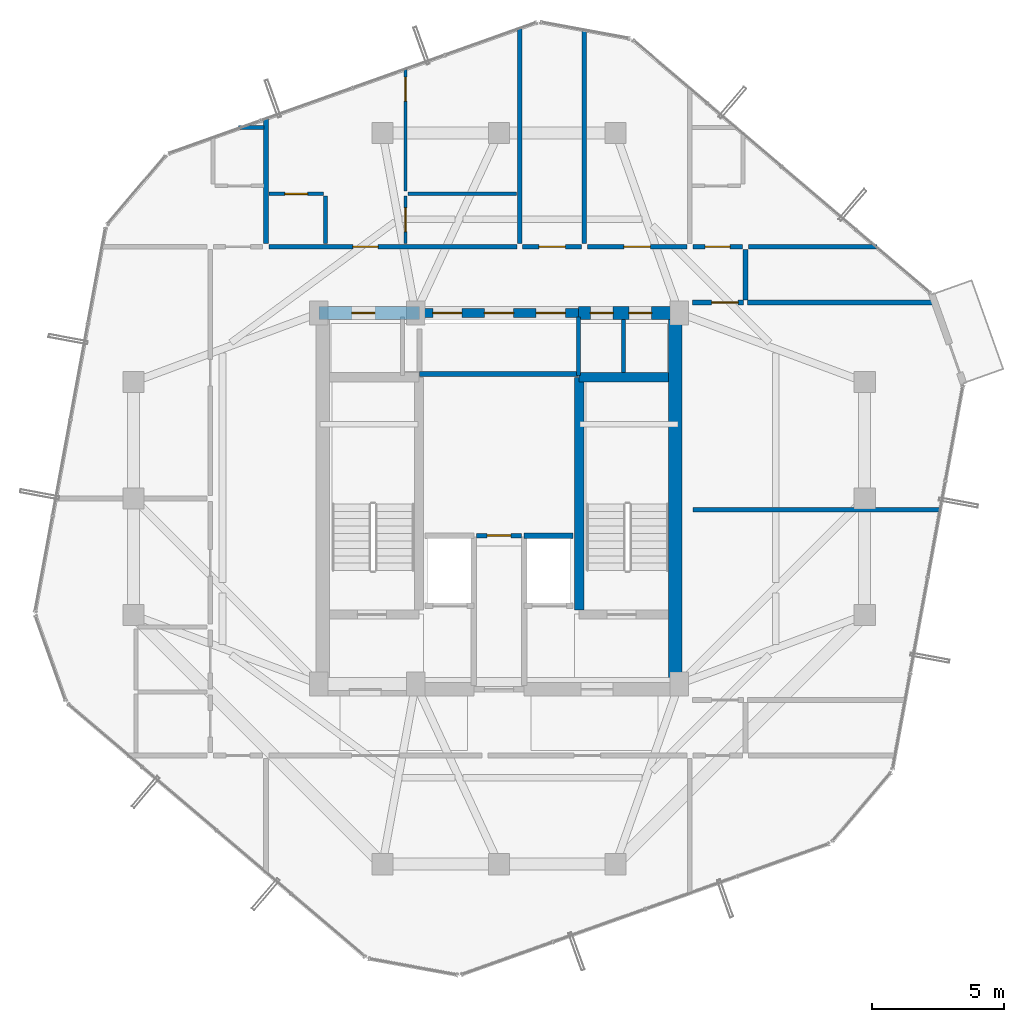
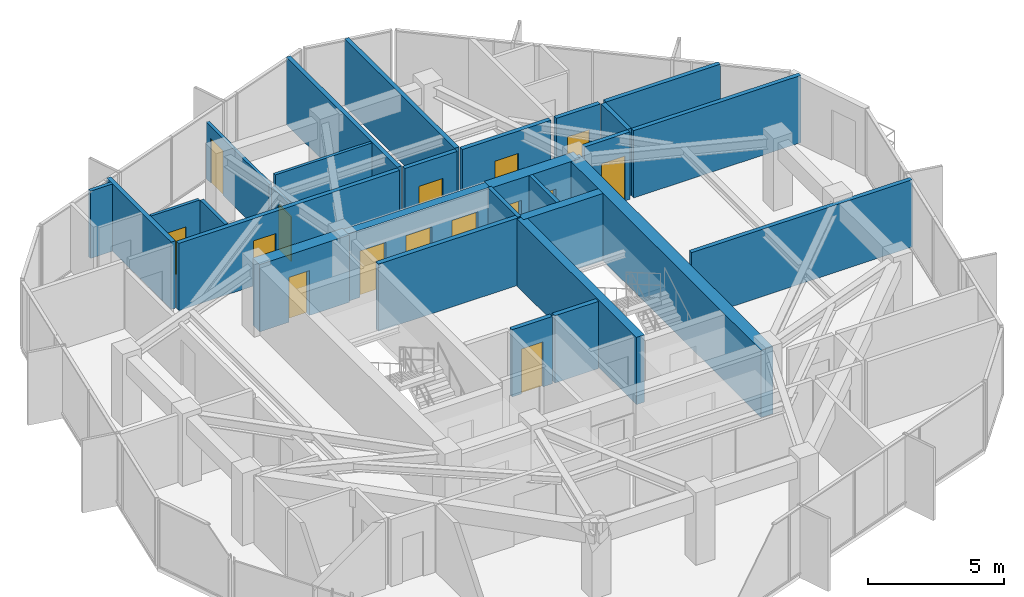
# One storey, part 26 of 29: 29 walls, 15 doors, 15 openings.
"""IFC4 building model written with IfcOpenShell, lengths in metres."""

from ifc_helpers import new_model, si_unit, direction, frame, frame_2d, origin, place, context, subcontext, project, spatial, rectangle, extrude, source, transform, mapped, material, layer, layer_set, type_object, element, fill, save


model = new_model("IFC4")

# Units and contexts
model_context = context("Model", 3, precision=1e-05, world=origin(), true_north=direction((0.0, 1.0)))
body_context = subcontext(model_context, "Body", "Model", "MODEL_VIEW")
ifc_project = project(units=[si_unit("LENGTHUNIT", "METRE"), si_unit("AREAUNIT", "SQUARE_METRE"), si_unit("VOLUMEUNIT", "CUBIC_METRE"), si_unit("PLANEANGLEUNIT", "RADIAN"), si_unit("MASSUNIT", "GRAM", prefix="KILO")], contexts=[model_context])

# Site, building, storey
site_placement = place(None, origin())
site = spatial("IfcSite", under=ifc_project, at=site_placement, CompositionType="ELEMENT")
building_placement = place(site_placement, origin())
building = spatial("IfcBuilding", under=site, at=building_placement, Name="Veraguas Prism Commons", CompositionType="ELEMENT")
storey_placement = place(building_placement, frame((0.0, 0.0, 244.75)))
storey = spatial("IfcBuildingStorey", under=building, at=storey_placement, Name="L69", CompositionType="ELEMENT", Elevation=244.75)

# Wall, openings, doors
ifc_material_1 = material(Name="Concrete C50/60", Category="concrete")
ifc_layer_1 = layer(ifc_material_1, 0.35009765625, Name="Core Internal Shear Wall Upper RC 350", Category="concrete")
ifc_layer_set_1 = layer_set([ifc_layer_1], Name="Concrete C50/60")
wall_type_1 = type_object("IfcWallType", Name="Core Internal Shear Wall Upper RC 350", PredefinedType="SHEAR", material=ifc_layer_set_1)
wall_1_placement = place(storey_placement, frame((21.0, 31.0, 0.0), z_axis=(0.0, 0.0, 1.0), x_axis=(1.0, 0.0, 0.0)))
wall_1 = element("IfcWall", 1, at=wall_1_placement, inside=storey, type_object=wall_type_1, Name="High-Rise Lift Bank Front Shear Wall L69", PredefinedType="SHEAR", context=body_context, shape_type="SweptSolid", body=[
    extrude(rectangle(XDim=6.0, YDim=0.35009765625, at=frame_2d((3.0, 0.0))), origin(), (0.0, 0.0, 1.0), 3.014892578125),
])
opening_1_placement = place(wall_1_placement, frame((0.5, 0.0, 0.0)))
opening_1 = element("IfcOpeningElement", 2, at=opening_1_placement, cuts=wall_1, Name="Opening LD-01", PredefinedType="OPENING", context=body_context, shape_type="SweptSolid", body=[
    extrude(rectangle(XDim=1.10009765625, YDim=2.080078125, at=frame_2d((0.550048828125, 1.0400390625))), frame((0.0, 0.18505859375, 0.0), z_axis=(0.0, -1.0, 0.0), x_axis=(1.0, 0.0, 0.0)), (0.0, 0.0, 1.0), 0.3701171875),
])
opening_2_placement = place(wall_1_placement, frame((2.449951171875, 0.0, 0.0)))
opening_2 = element("IfcOpeningElement", 3, at=opening_2_placement, cuts=wall_1, Name="Opening LD-01", PredefinedType="OPENING", context=body_context, shape_type="SweptSolid", body=[
    extrude(rectangle(XDim=1.10009765625, YDim=2.080078125, at=frame_2d((0.550048828125, 1.0400390625))), frame((0.0, 0.18505859375, 0.0), z_axis=(0.0, -1.0, 0.0), x_axis=(1.0, 0.0, 0.0)), (0.0, 0.0, 1.0), 0.3701171875),
])
opening_3_placement = place(wall_1_placement, frame((4.39990234375, 0.0, 0.0)))
opening_3 = element("IfcOpeningElement", 4, at=opening_3_placement, cuts=wall_1, Name="Opening LD-01", PredefinedType="OPENING", context=body_context, shape_type="SweptSolid", body=[
    extrude(rectangle(XDim=1.10009765625, YDim=2.080078125, at=frame_2d((0.550048828125, 1.0400390625))), frame((0.0, 0.18505859375, 0.0), z_axis=(0.0, -1.0, 0.0), x_axis=(1.0, 0.0, 0.0)), (0.0, 0.0, 1.0), 0.3701171875),
])
ifc_material_2 = material(Name="Stainless steel AISI 316", Category="steel")
door_type_1 = type_object("IfcDoorType", Name="Passenger Lift Sliding Landing Door 1100x2080", OperationType="NOTDEFINED", PredefinedType="DOOR", material=ifc_material_2)
shared_shape_1 = source(origin(), body_context, "Body", "SweptSolid", [
    extrude(rectangle(XDim=1.10009765625, YDim=2.080078125, at=frame_2d((0.550048828125, 1.0400390625))), frame((0.0, 0.02490234375, 0.0), z_axis=(0.0, -1.0, 0.0), x_axis=(1.0, 0.0, 0.0)), (0.0, 0.0, 1.0), 0.050048828125),
])
door_1_placement = place(opening_1_placement, origin())
door_1 = element("IfcDoor", 5, at=door_1_placement, inside=storey, type_object=door_type_1, Name="Sliding Landing Door PL-H1 L69", OperationType="SLIDING_TO_LEFT", OverallHeight=2.080078125, OverallWidth=1.10009765625, PredefinedType="DOOR", context=body_context, shape_type="MappedRepresentation", body=[
    mapped(shared_shape_1, transform((0.0, 0.0, 0.0), scale=1.0)),
])
fill(opening_1, door_1)
door_2_placement = place(opening_2_placement, origin())
door_2 = element("IfcDoor", 6, at=door_2_placement, inside=storey, type_object=door_type_1, Name="Sliding Landing Door PL-H2 L69", OperationType="SLIDING_TO_LEFT", OverallHeight=2.080078125, OverallWidth=1.10009765625, PredefinedType="DOOR", context=body_context, shape_type="MappedRepresentation", body=[
    mapped(shared_shape_1, transform((0.0, 0.0, 0.0), scale=1.0)),
])
fill(opening_2, door_2)
door_3_placement = place(opening_3_placement, origin())
door_3 = element("IfcDoor", 7, at=door_3_placement, inside=storey, type_object=door_type_1, Name="Sliding Landing Door PL-H3 L69", OperationType="SLIDING_TO_LEFT", OverallHeight=2.080078125, OverallWidth=1.10009765625, PredefinedType="DOOR", context=body_context, shape_type="MappedRepresentation", body=[
    mapped(shared_shape_1, transform((0.0, 0.0, 0.0), scale=1.0)),
])
fill(opening_3, door_3)

# Walls
wall_2_placement = place(storey_placement, frame((27.02490234375, 19.800048828125, 0.0), z_axis=(0.0, 0.0, 1.0), x_axis=(0.0, 1.0, 0.0)))
element("IfcWall", 8, at=wall_2_placement, inside=storey, type_object=wall_type_1, Name="Stair ST-02 Inner Shear Wall L69", PredefinedType="SHEAR", context=body_context, shape_type="SweptSolid", body=[
    extrude(rectangle(XDim=8.77490234375, YDim=0.35009765625, at=frame_2d((4.387451171875, 0.0))), origin(), (0.0, 0.0, 1.0), 3.014892578125),
])
wall_3_placement = place(storey_placement, frame((27.02490234375, 28.574951171875, 0.0), z_axis=(0.0, 0.0, 1.0), x_axis=(1.0, 0.0, 0.0)))
element("IfcWall", 9, at=wall_3_placement, inside=storey, type_object=wall_type_1, Name="Stair ST-02 North Shear Wall L69", PredefinedType="SHEAR", context=body_context, shape_type="SweptSolid", body=[
    extrude(rectangle(XDim=3.375, YDim=0.35009765625, at=frame_2d((1.6875, 0.0))), origin(), (0.0, 0.0, 1.0), 3.014892578125),
])
ifc_layer_2 = layer(ifc_material_1, 0.5, Name="Core Outer Shear Wall Upper RC 500", Category="concrete")
ifc_layer_set_2 = layer_set([ifc_layer_2], Name="Concrete C50/60")
wall_type_2 = type_object("IfcWallType", Name="Core Outer Shear Wall Upper RC 500", PredefinedType="SHEAR", material=ifc_layer_set_2)
wall_4_placement = place(storey_placement, frame((30.64990234375, 16.800048828125, 0.0), z_axis=(0.0, 0.0, 1.0), x_axis=(0.0, 1.0, 0.0)))
element("IfcWall", 10, at=wall_4_placement, inside=storey, type_object=wall_type_2, Name="Central Core East Shear Wall L69", PredefinedType="SHEAR", context=body_context, shape_type="SweptSolid", body=[
    extrude(rectangle(XDim=14.199951171875, YDim=0.5, at=frame_2d((7.10009765625, 0.0))), origin(), (0.0, 0.0, 1.0), 3.014892578125),
])

# Wall, opening, door
wall_5_placement = place(storey_placement, frame((17.199951171875, 31.0, 0.0), z_axis=(0.0, 0.0, 1.0), x_axis=(1.0, 0.0, 0.0)))
wall_5 = element("IfcWall", 11, at=wall_5_placement, inside=storey, type_object=wall_type_2, Name="Central Core North-West Shear Wall L69", PredefinedType="SHEAR", context=body_context, shape_type="SweptSolid", body=[
    extrude(rectangle(XDim=3.800048828125, YDim=0.5, at=frame_2d((1.89990234375, 0.0))), origin(), (0.0, 0.0, 1.0), 3.014892578125),
])
opening_4_placement = place(wall_5_placement, frame((1.25, 0.0, 0.0)))
opening_4 = element("IfcOpeningElement", 12, at=opening_4_placement, cuts=wall_5, Name="Opening DR-12", PredefinedType="OPENING", context=body_context, shape_type="SweptSolid", body=[
    extrude(rectangle(XDim=0.860107421875, YDim=2.010009765625, at=frame_2d((0.43017578125, 1.0048828125))), frame((0.0, 0.260009765625, 0.0), z_axis=(0.0, -1.0, 0.0), x_axis=(1.0, 0.0, 0.0)), (0.0, 0.0, 1.0), 0.52001953125),
])
ifc_material_3 = material(Name="Steel fire-rated door assembly", Category="steel")
door_type_2 = type_object("IfcDoorType", Name="Core WC Fire Door 860x2010", OperationType="NOTDEFINED", PredefinedType="DOOR", material=ifc_material_3)
shared_shape_2 = source(origin(), body_context, "Body", "SweptSolid", [
    extrude(rectangle(XDim=0.860107421875, YDim=2.010009765625, at=frame_2d((0.43017578125, 1.0048828125))), frame((0.0, 0.02490234375, 0.0), z_axis=(0.0, -1.0, 0.0), x_axis=(1.0, 0.0, 0.0)), (0.0, 0.0, 1.0), 0.050048828125),
])
door_4_placement = place(opening_4_placement, origin())
door_4 = element("IfcDoor", 13, at=door_4_placement, inside=storey, type_object=door_type_2, Name="Core NW Service Door L69", OperationType="SINGLE_SWING_LEFT", OverallHeight=2.010009765625, OverallWidth=0.860107421875, PredefinedType="DOOR", context=body_context, shape_type="MappedRepresentation", body=[
    mapped(shared_shape_2, transform((0.0, 0.0, 0.0), scale=1.0)),
])
fill(opening_4, door_4)

# Wall, openings, doors
wall_6_placement = place(storey_placement, frame((27.0, 31.0, 0.0), z_axis=(0.0, 0.0, 1.0), x_axis=(1.0, 0.0, 0.0)))
wall_6 = element("IfcWall", 14, at=wall_6_placement, inside=storey, type_object=wall_type_2, Name="Central Core North-East Shear Wall L69", PredefinedType="SHEAR", context=body_context, shape_type="SweptSolid", body=[
    extrude(rectangle(XDim=3.800048828125, YDim=0.5, at=frame_2d((1.89990234375, 0.0))), origin(), (0.0, 0.0, 1.0), 3.014892578125),
])
opening_5_placement = place(wall_6_placement, frame((0.449951171875, 0.0, 0.0)))
opening_5 = element("IfcOpeningElement", 15, at=opening_5_placement, cuts=wall_6, Name="Opening DR-12", PredefinedType="OPENING", context=body_context, shape_type="SweptSolid", body=[
    extrude(rectangle(XDim=0.860107421875, YDim=2.010009765625, at=frame_2d((0.43017578125, 1.0048828125))), frame((0.0, 0.260009765625, 0.0), z_axis=(0.0, -1.0, 0.0), x_axis=(1.0, 0.0, 0.0)), (0.0, 0.0, 1.0), 0.52001953125),
])
opening_6_placement = place(wall_6_placement, frame((1.89990234375, 0.0, 0.0)))
opening_6 = element("IfcOpeningElement", 16, at=opening_6_placement, cuts=wall_6, Name="Opening DR-12", PredefinedType="OPENING", context=body_context, shape_type="SweptSolid", body=[
    extrude(rectangle(XDim=0.860107421875, YDim=2.010009765625, at=frame_2d((0.43017578125, 1.0048828125))), frame((0.0, 0.260009765625, 0.0), z_axis=(0.0, -1.0, 0.0), x_axis=(1.0, 0.0, 0.0)), (0.0, 0.0, 1.0), 0.52001953125),
])
door_5_placement = place(opening_5_placement, origin())
door_5 = element("IfcDoor", 17, at=door_5_placement, inside=storey, type_object=door_type_2, Name="Core NE Room A Door L69", OperationType="SINGLE_SWING_RIGHT", OverallHeight=2.010009765625, OverallWidth=0.860107421875, PredefinedType="DOOR", context=body_context, shape_type="MappedRepresentation", body=[
    mapped(shared_shape_2, transform((0.0, 0.0, 0.0), scale=1.0)),
])
fill(opening_5, door_5)
door_6_placement = place(opening_6_placement, origin())
door_6 = element("IfcDoor", 18, at=door_6_placement, inside=storey, type_object=door_type_2, Name="Core NE Room B Door L69", OperationType="SINGLE_SWING_LEFT", OverallHeight=2.010009765625, OverallWidth=0.860107421875, PredefinedType="DOOR", context=body_context, shape_type="MappedRepresentation", body=[
    mapped(shared_shape_2, transform((0.0, 0.0, 0.0), scale=1.0)),
])
fill(opening_6, door_6)

# Wall, opening, door
ifc_material_4 = material(Name="Autoclaved aerated masonry block 10 MPa", Category="masonry")
ifc_layer_3 = layer(ifc_material_4, 0.179931640625, Name="Corridor and Inter-Tenancy Partition 180", Category="masonry")
ifc_layer_set_3 = layer_set([ifc_layer_3], Name="Autoclaved aerated masonry block 10 MPa")
wall_type_3 = type_object("IfcWallType", Name="Corridor and Inter-Tenancy Partition 180", PredefinedType="PARTITIONING", material=ifc_layer_set_3)
wall_7_placement = place(storey_placement, frame((23.14990234375, 22.60009765625, 0.0), z_axis=(0.0, 0.0, 1.0), x_axis=(1.0, 0.0, 0.0)))
wall_7 = element("IfcWall", 19, at=wall_7_placement, inside=storey, type_object=wall_type_3, Name="Core Suite Entry Wall L69", PredefinedType="PARTITIONING", context=body_context, shape_type="SweptSolid", body=[
    extrude(rectangle(XDim=1.7001953125, YDim=0.179931640625, at=frame_2d((0.85009765625, 0.0))), origin(), (0.0, 0.0, 1.0), 3.014892578125),
])
opening_7_placement = place(wall_7_placement, frame((0.39990234375, 0.0, 0.0)))
opening_7 = element("IfcOpeningElement", 20, at=opening_7_placement, cuts=wall_7, Name="Opening DR-14", PredefinedType="OPENING", context=body_context, shape_type="SweptSolid", body=[
    extrude(rectangle(XDim=0.89990234375, YDim=2.010009765625, at=frame_2d((0.449951171875, 1.0048828125))), frame((0.0, 0.099853515625, 0.0), z_axis=(0.0, -1.0, 0.0), x_axis=(1.0, 0.0, 0.0)), (0.0, 0.0, 1.0), 0.199951171875),
])
door_type_3 = type_object("IfcDoorType", Name="Core Service Room Fire Door 900x2010", OperationType="NOTDEFINED", PredefinedType="DOOR", material=ifc_material_3)
shared_shape_3 = source(origin(), body_context, "Body", "SweptSolid", [
    extrude(rectangle(XDim=0.89990234375, YDim=2.010009765625, at=frame_2d((0.449951171875, 1.0048828125))), frame((0.0, 0.02490234375, 0.0), z_axis=(0.0, -1.0, 0.0), x_axis=(1.0, 0.0, 0.0)), (0.0, 0.0, 1.0), 0.050048828125),
])
door_7_placement = place(opening_7_placement, origin())
door_7 = element("IfcDoor", 21, at=door_7_placement, inside=storey, type_object=door_type_3, Name="Core Suite Entry Door L69", OperationType="SINGLE_SWING_RIGHT", OverallHeight=2.010009765625, OverallWidth=0.89990234375, PredefinedType="DOOR", context=body_context, shape_type="MappedRepresentation", body=[
    mapped(shared_shape_3, transform((0.0, 0.0, 0.0), scale=1.0)),
])
fill(opening_7, door_7)

# Wall
wall_8_placement = place(storey_placement, frame((15.199951171875, 33.6201171875, 0.0), z_axis=(0.0, 0.0, 1.0), x_axis=(0.0, 1.0, 0.0)))
element("IfcWall", 22, at=wall_8_placement, inside=storey, type_object=wall_type_3, Name="WL-L69-PT005", PredefinedType="PARTITIONING", context=body_context, shape_type="SweptSolid", body=[
    extrude(rectangle(XDim=4.74462890625, YDim=0.179931640625, at=frame_2d((2.372314453125, 0.0))), origin(), (0.0, 0.0, 1.0), 3.014892578125),
])

# Wall, opening, door
wall_9_placement = place(storey_placement, frame((15.31005859375, 33.5, 0.0), z_axis=(0.0, 0.0, 1.0), x_axis=(1.0, 0.0, 0.0)))
wall_9 = element("IfcWall", 23, at=wall_9_placement, inside=storey, type_object=wall_type_3, Name="WL-L69-PT007", PredefinedType="PARTITIONING", context=body_context, shape_type="SweptSolid", body=[
    extrude(rectangle(XDim=9.35986328125, YDim=0.179931640625, at=frame_2d((4.679931640625, 0.0))), origin(), (0.0, 0.0, 1.0), 3.014892578125),
])
opening_8_placement = place(wall_9_placement, frame((3.174560546875, 0.0, 0.0)))
opening_8 = element("IfcOpeningElement", 24, at=opening_8_placement, cuts=wall_9, Name="Opening DR-01", PredefinedType="OPENING", context=body_context, shape_type="SweptSolid", body=[
    extrude(rectangle(XDim=0.949951171875, YDim=2.02001953125, at=frame_2d((0.47509765625, 1.010009765625))), frame((0.0, 0.099853515625, 0.0), z_axis=(0.0, -1.0, 0.0), x_axis=(1.0, 0.0, 0.0)), (0.0, 0.0, 1.0), 0.199951171875),
])
ifc_material_5 = material(Name="Anodised aluminium EN AW-6063 T6", Category="aluminium")
door_type_4 = type_object("IfcDoorType", Name="Apartment Entrance Fire Door 950x2020", OperationType="NOTDEFINED", PredefinedType="DOOR", material=ifc_material_5)
shared_shape_4 = source(origin(), body_context, "Body", "SweptSolid", [
    extrude(rectangle(XDim=0.949951171875, YDim=2.02001953125, at=frame_2d((0.47509765625, 1.010009765625))), frame((0.0, 0.02490234375, 0.0), z_axis=(0.0, -1.0, 0.0), x_axis=(1.0, 0.0, 0.0)), (0.0, 0.0, 1.0), 0.050048828125),
])
door_8_placement = place(opening_8_placement, origin())
door_8 = element("IfcDoor", 25, at=door_8_placement, inside=storey, type_object=door_type_4, Name="Flat 69A Entrance Door", OperationType="SINGLE_SWING_LEFT", OverallHeight=2.02001953125, OverallWidth=0.949951171875, PredefinedType="DOOR", context=body_context, shape_type="MappedRepresentation", body=[
    mapped(shared_shape_4, transform((0.0, 0.0, 0.0), scale=1.0)),
])
fill(opening_8, door_8)

# Wall
wall_10_placement = place(storey_placement, frame((24.780029296875, 33.6201171875, 0.0), z_axis=(0.0, 0.0, 1.0), x_axis=(0.0, 1.0, 0.0)))
element("IfcWall", 26, at=wall_10_placement, inside=storey, type_object=wall_type_3, Name="WL-L69-PT013", PredefinedType="PARTITIONING", context=body_context, shape_type="SweptSolid", body=[
    extrude(rectangle(XDim=8.156005859375, YDim=0.179931640625, at=frame_2d((4.078125, 0.0))), origin(), (0.0, 0.0, 1.0), 3.014892578125),
])

# Wall, opening, door
wall_11_placement = place(storey_placement, frame((24.889892578125, 33.5, 0.0), z_axis=(0.0, 0.0, 1.0), x_axis=(1.0, 0.0, 0.0)))
wall_11 = element("IfcWall", 27, at=wall_11_placement, inside=storey, type_object=wall_type_3, Name="WL-L69-PT014", PredefinedType="PARTITIONING", context=body_context, shape_type="SweptSolid", body=[
    extrude(rectangle(XDim=2.22021484375, YDim=0.179931640625, at=frame_2d((1.110107421875, 0.0))), origin(), (0.0, 0.0, 1.0), 3.014892578125),
])
opening_9_placement = place(wall_11_placement, frame((0.610107421875, 0.0, 0.0)))
opening_9 = element("IfcOpeningElement", 28, at=opening_9_placement, cuts=wall_11, Name="Opening DR-13", PredefinedType="OPENING", context=body_context, shape_type="SweptSolid", body=[
    extrude(rectangle(XDim=1.0, YDim=2.010009765625, at=frame_2d((0.5, 1.0048828125))), frame((0.0, 0.099853515625, 0.0), z_axis=(0.0, -1.0, 0.0), x_axis=(1.0, 0.0, 0.0)), (0.0, 0.0, 1.0), 0.199951171875),
])
door_type_5 = type_object("IfcDoorType", Name="Core Accessible WC and Clinic Fire Door 1000x2010", OperationType="NOTDEFINED", PredefinedType="DOOR", material=ifc_material_3)
shared_shape_5 = source(origin(), body_context, "Body", "SweptSolid", [
    extrude(rectangle(XDim=1.0, YDim=2.010009765625, at=frame_2d((0.5, 1.0048828125))), frame((0.0, 0.02490234375, 0.0), z_axis=(0.0, -1.0, 0.0), x_axis=(1.0, 0.0, 0.0)), (0.0, 0.0, 1.0), 0.050048828125),
])
door_9_placement = place(opening_9_placement, origin())
door_9 = element("IfcDoor", 29, at=door_9_placement, inside=storey, type_object=door_type_5, Name="Residents Study Room Door", OperationType="SINGLE_SWING_LEFT", OverallHeight=2.010009765625, OverallWidth=1.0, PredefinedType="DOOR", context=body_context, shape_type="MappedRepresentation", body=[
    mapped(shared_shape_5, transform((0.0, 0.0, 0.0), scale=1.0)),
])
fill(opening_9, door_9)

wall_12_placement = place(storey_placement, frame((27.330078125, 33.5, 0.0), z_axis=(0.0, 0.0, 1.0), x_axis=(1.0, 0.0, 0.0)))
wall_12 = element("IfcWall", 30, at=wall_12_placement, inside=storey, type_object=wall_type_3, Name="WL-L69-PT015", PredefinedType="PARTITIONING", context=body_context, shape_type="SweptSolid", body=[
    extrude(rectangle(XDim=3.760009765625, YDim=0.179931640625, at=frame_2d((1.8798828125, 0.0))), origin(), (0.0, 0.0, 1.0), 3.014892578125),
])
opening_10_placement = place(wall_12_placement, frame((1.3798828125, 0.0, 0.0)))
opening_10 = element("IfcOpeningElement", 31, at=opening_10_placement, cuts=wall_12, Name="Opening DR-13", PredefinedType="OPENING", context=body_context, shape_type="SweptSolid", body=[
    extrude(rectangle(XDim=1.0, YDim=2.010009765625, at=frame_2d((0.5, 1.0048828125))), frame((0.0, 0.099853515625, 0.0), z_axis=(0.0, -1.0, 0.0), x_axis=(1.0, 0.0, 0.0)), (0.0, 0.0, 1.0), 0.199951171875),
])
door_10_placement = place(opening_10_placement, origin())
door_10 = element("IfcDoor", 32, at=door_10_placement, inside=storey, type_object=door_type_5, Name="Co-op Store N Door", OperationType="SINGLE_SWING_RIGHT", OverallHeight=2.010009765625, OverallWidth=1.0, PredefinedType="DOOR", context=body_context, shape_type="MappedRepresentation", body=[
    mapped(shared_shape_5, transform((0.0, 0.0, 0.0), scale=1.0)),
])
fill(opening_10, door_10)

# Walls
wall_13_placement = place(storey_placement, frame((27.219970703125, 33.6201171875, 0.0), z_axis=(0.0, 0.0, 1.0), x_axis=(0.0, 1.0, 0.0)))
element("IfcWall", 33, at=wall_13_placement, inside=storey, type_object=wall_type_3, Name="WL-L69-PT016", PredefinedType="PARTITIONING", context=body_context, shape_type="SweptSolid", body=[
    extrude(rectangle(XDim=8.091064453125, YDim=0.179931640625, at=frame_2d((4.04541015625, 0.0))), origin(), (0.0, 0.0, 1.0), 3.014892578125),
])
wall_14_placement = place(storey_placement, frame((31.320068359375, 23.574951171875, 0.0), z_axis=(0.0, 0.0, 1.0), x_axis=(1.0, 0.0, 0.0)))
element("IfcWall", 34, at=wall_14_placement, inside=storey, type_object=wall_type_3, Name="WL-L69-PT028", PredefinedType="PARTITIONING", context=body_context, shape_type="SweptSolid", body=[
    extrude(rectangle(XDim=9.36181640625, YDim=0.179931640625, at=frame_2d((4.680908203125, 0.0))), origin(), (0.0, 0.0, 1.0), 3.014892578125),
])
wall_15_placement = place(storey_placement, frame((33.300048828125, 31.5, 0.0), z_axis=(0.0, 0.0, 1.0), x_axis=(0.0, 1.0, 0.0)))
element("IfcWall", 35, at=wall_15_placement, inside=storey, type_object=wall_type_3, Name="WL-L69-PT030", PredefinedType="PARTITIONING", context=body_context, shape_type="SweptSolid", body=[
    extrude(rectangle(XDim=1.89990234375, YDim=0.179931640625, at=frame_2d((0.949951171875, 0.0))), origin(), (0.0, 0.0, 1.0), 3.014892578125),
])

# Wall, opening, door
wall_16_placement = place(storey_placement, frame((31.300048828125, 31.39990234375, 0.0), z_axis=(0.0, 0.0, 1.0), x_axis=(1.0, 0.0, 0.0)))
wall_16 = element("IfcWall", 36, at=wall_16_placement, inside=storey, type_object=wall_type_3, Name="WL-L69-PT033", PredefinedType="PARTITIONING", context=body_context, shape_type="SweptSolid", body=[
    extrude(rectangle(XDim=1.919921875, YDim=0.179931640625, at=frame_2d((0.9599609375, 0.0))), origin(), (0.0, 0.0, 1.0), 3.014892578125),
])
opening_11_placement = place(wall_16_placement, frame((0.719970703125, 0.0, 0.0)))
opening_11 = element("IfcOpeningElement", 37, at=opening_11_placement, cuts=wall_16, Name="Opening DR-13", PredefinedType="OPENING", context=body_context, shape_type="SweptSolid", body=[
    extrude(rectangle(XDim=1.0, YDim=2.010009765625, at=frame_2d((0.5, 1.0048828125))), frame((0.0, 0.099853515625, 0.0), z_axis=(0.0, -1.0, 0.0), x_axis=(1.0, 0.0, 0.0)), (0.0, 0.0, 1.0), 0.199951171875),
])
door_11_placement = place(opening_11_placement, origin())
door_11 = element("IfcDoor", 38, at=door_11_placement, inside=storey, type_object=door_type_5, Name="Study Salon Door L69", OperationType="SINGLE_SWING_RIGHT", OverallHeight=2.010009765625, OverallWidth=1.0, PredefinedType="DOOR", context=body_context, shape_type="MappedRepresentation", body=[
    mapped(shared_shape_5, transform((0.0, 0.0, 0.0), scale=1.0)),
])
fill(opening_11, door_11)

# Walls
wall_17_placement = place(storey_placement, frame((33.3798828125, 31.39990234375, 0.0), z_axis=(0.0, 0.0, 1.0), x_axis=(1.0, 0.0, 0.0)))
element("IfcWall", 39, at=wall_17_placement, inside=storey, type_object=wall_type_3, Name="WL-L69-PT034", PredefinedType="PARTITIONING", context=body_context, shape_type="SweptSolid", body=[
    extrude(rectangle(XDim=7.093994140625, YDim=0.179931640625, at=frame_2d((3.546875, 0.0))), origin(), (0.0, 0.0, 1.0), 3.014892578125),
])
wall_18_placement = place(storey_placement, frame((33.419921875, 33.5, 0.0), z_axis=(0.0, 0.0, 1.0), x_axis=(1.0, 0.0, 0.0)))
element("IfcWall", 40, at=wall_18_placement, inside=storey, type_object=wall_type_3, Name="WL-L69-PT042", PredefinedType="PARTITIONING", context=body_context, shape_type="SweptSolid", body=[
    extrude(rectangle(XDim=4.851806640625, YDim=0.179931640625, at=frame_2d((2.42578125, 0.0))), origin(), (0.0, 0.0, 1.0), 3.014892578125),
])

# Wall, opening, door
wall_19_placement = place(storey_placement, frame((31.320068359375, 33.5, 0.0), z_axis=(0.0, 0.0, 1.0), x_axis=(1.0, 0.0, 0.0)))
wall_19 = element("IfcWall", 41, at=wall_19_placement, inside=storey, type_object=wall_type_3, Name="WL-L69-PT043", PredefinedType="PARTITIONING", context=body_context, shape_type="SweptSolid", body=[
    extrude(rectangle(XDim=1.85986328125, YDim=0.179931640625, at=frame_2d((0.929931640625, 0.0))), origin(), (0.0, 0.0, 1.0), 3.014892578125),
])
opening_12_placement = place(wall_19_placement, frame((0.455078125, 0.0, 0.0)))
opening_12 = element("IfcOpeningElement", 42, at=opening_12_placement, cuts=wall_19, Name="Opening DR-01", PredefinedType="OPENING", context=body_context, shape_type="SweptSolid", body=[
    extrude(rectangle(XDim=0.949951171875, YDim=2.02001953125, at=frame_2d((0.47509765625, 1.010009765625))), frame((0.0, 0.099853515625, 0.0), z_axis=(0.0, -1.0, 0.0), x_axis=(1.0, 0.0, 0.0)), (0.0, 0.0, 1.0), 0.199951171875),
])
door_12_placement = place(opening_12_placement, origin())
door_12 = element("IfcDoor", 43, at=door_12_placement, inside=storey, type_object=door_type_4, Name="Studio 69C Entrance Door", OperationType="SINGLE_SWING_LEFT", OverallHeight=2.02001953125, OverallWidth=0.949951171875, PredefinedType="DOOR", context=body_context, shape_type="MappedRepresentation", body=[
    mapped(shared_shape_4, transform((0.0, 0.0, 0.0), scale=1.0)),
])
fill(opening_12, door_12)

ifc_material_6 = material(Name="Lightweight acoustic gypsum board")
ifc_layer_4 = layer(ifc_material_6, 0.125, Name="Internal Apartment Room Partition 125")
ifc_layer_set_4 = layer_set([ifc_layer_4], Name="Lightweight acoustic gypsum board")
wall_type_4 = type_object("IfcWallType", Name="Internal Apartment Room Partition 125", PredefinedType="PARTITIONING", material=ifc_layer_set_4)
wall_20_placement = place(storey_placement, frame((15.320068359375, 35.5, 0.0), z_axis=(0.0, 0.0, 1.0), x_axis=(1.0, 0.0, 0.0)))
wall_20 = element("IfcWall", 44, at=wall_20_placement, inside=storey, type_object=wall_type_4, Name="WL-L69-PT009", PredefinedType="PARTITIONING", context=body_context, shape_type="SweptSolid", body=[
    extrude(rectangle(XDim=2.050048828125, YDim=0.125, at=frame_2d((1.02490234375, 0.0))), origin(), (0.0, 0.0, 1.0), 3.014892578125),
])
opening_13_placement = place(wall_20_placement, frame((0.594970703125, 0.0, 0.0)))
opening_13 = element("IfcOpeningElement", 45, at=opening_13_placement, cuts=wall_20, Name="Opening DR-03", PredefinedType="OPENING", context=body_context, shape_type="SweptSolid", body=[
    extrude(rectangle(XDim=0.860107421875, YDim=2.010009765625, at=frame_2d((0.43017578125, 1.0048828125))), frame((0.0, 0.072509765625, 0.0), z_axis=(0.0, -1.0, 0.0), x_axis=(1.0, 0.0, 0.0)), (0.0, 0.0, 1.0), 0.14501953125),
])
ifc_material_7 = material(Name="Timber moisture-resistant leaf", Category="wood")
door_type_6 = type_object("IfcDoorType", Name="Internal Bathroom Door 860x2010", OperationType="NOTDEFINED", PredefinedType="DOOR", material=ifc_material_7)
door_13_placement = place(opening_13_placement, origin())
door_13 = element("IfcDoor", 46, at=door_13_placement, inside=storey, type_object=door_type_6, Name="Flat 69A Bathroom Door", OperationType="SINGLE_SWING_RIGHT", OverallHeight=2.010009765625, OverallWidth=0.860107421875, PredefinedType="DOOR", context=body_context, shape_type="MappedRepresentation", body=[
    mapped(shared_shape_2, transform((0.0, 0.0, 0.0), scale=1.0)),
])
fill(opening_13, door_13)

wall_21_placement = place(storey_placement, frame((20.468994140625, 33.6201171875, 0.0), z_axis=(0.0, 0.0, 1.0), x_axis=(0.0, 1.0, 0.0)))
wall_21 = element("IfcWall", 47, at=wall_21_placement, inside=storey, type_object=wall_type_4, Name="WL-L69-PT010", PredefinedType="PARTITIONING", context=body_context, shape_type="SweptSolid", body=[
    extrude(rectangle(XDim=1.7998046875, YDim=0.125, at=frame_2d((0.89990234375, 0.0))), origin(), (0.0, 0.0, 1.0), 2.54296875),
])
opening_14_placement = place(wall_21_placement, frame((0.449951171875, 0.0, 0.0)))
opening_14 = element("IfcOpeningElement", 48, at=opening_14_placement, cuts=wall_21, Name="Opening DR-02", PredefinedType="OPENING", context=body_context, shape_type="SweptSolid", body=[
    extrude(rectangle(XDim=0.89990234375, YDim=2.010009765625, at=frame_2d((0.449951171875, 1.0048828125))), frame((0.0, 0.072509765625, 0.0), z_axis=(0.0, -1.0, 0.0), x_axis=(1.0, 0.0, 0.0)), (0.0, 0.0, 1.0), 0.14501953125),
])
ifc_material_8 = material(Name="Timber solid core hardwood", Category="wood")
door_type_7 = type_object("IfcDoorType", Name="Internal Habitable Room Door 900x2010", OperationType="NOTDEFINED", PredefinedType="DOOR", material=ifc_material_8)
door_14_placement = place(opening_14_placement, origin())
door_14 = element("IfcDoor", 49, at=door_14_placement, inside=storey, type_object=door_type_7, Name="Flat 69A Kitchen Door", OperationType="SINGLE_SWING_LEFT", OverallHeight=2.010009765625, OverallWidth=0.89990234375, PredefinedType="DOOR", context=body_context, shape_type="MappedRepresentation", body=[
    mapped(shared_shape_3, transform((0.0, 0.0, 0.0), scale=1.0)),
])
fill(opening_14, door_14)

# Wall
wall_22_placement = place(storey_placement, frame((20.569091796875, 35.5, 0.0), z_axis=(0.0, 0.0, 1.0), x_axis=(1.0, 0.0, 0.0)))
element("IfcWall", 50, at=wall_22_placement, inside=storey, type_object=wall_type_4, Name="WL-L69-PT011", PredefinedType="PARTITIONING", context=body_context, shape_type="SweptSolid", body=[
    extrude(rectangle(XDim=4.0908203125, YDim=0.125, at=frame_2d((2.04541015625, 0.0))), origin(), (0.0, 0.0, 1.0), 3.014892578125),
])

# Wall, opening, door
wall_23_placement = place(storey_placement, frame((20.468994140625, 35.60009765625, 0.0), z_axis=(0.0, 0.0, 1.0), x_axis=(0.0, 1.0, 0.0)))
wall_23 = element("IfcWall", 51, at=wall_23_placement, inside=storey, type_object=wall_type_4, Name="WL-L69-PT012", PredefinedType="PARTITIONING", context=body_context, shape_type="SweptSolid", body=[
    extrude(rectangle(XDim=4.640869140625, YDim=0.125, at=frame_2d((2.3203125, 0.0))), origin(), (0.0, 0.0, 1.0), 2.54296875),
])
opening_15_placement = place(wall_23_placement, frame((3.40185546875, 0.0, 0.0)))
opening_15 = element("IfcOpeningElement", 52, at=opening_15_placement, cuts=wall_23, Name="Opening DR-02", PredefinedType="OPENING", context=body_context, shape_type="SweptSolid", body=[
    extrude(rectangle(XDim=0.89990234375, YDim=2.010009765625, at=frame_2d((0.449951171875, 1.0048828125))), frame((0.0, 0.072509765625, 0.0), z_axis=(0.0, -1.0, 0.0), x_axis=(1.0, 0.0, 0.0)), (0.0, 0.0, 1.0), 0.14501953125),
])
door_15_placement = place(opening_15_placement, origin())
door_15 = element("IfcDoor", 53, at=door_15_placement, inside=storey, type_object=door_type_7, Name="Flat 69A Bedroom 1 Door", OperationType="SINGLE_SWING_RIGHT", OverallHeight=2.010009765625, OverallWidth=0.89990234375, PredefinedType="DOOR", context=body_context, shape_type="MappedRepresentation", body=[
    mapped(shared_shape_3, transform((0.0, 0.0, 0.0), scale=1.0)),
])
fill(opening_15, door_15)

# Walls
ifc_layer_5 = layer(ifc_material_4, 0.199951171875, Name="Rated Shaft and Lobby Block Wall 200", Category="masonry")
ifc_layer_set_5 = layer_set([ifc_layer_5], Name="Autoclaved aerated masonry block 10 MPa")
wall_type_5 = type_object("IfcWallType", Name="Rated Shaft and Lobby Block Wall 200", PredefinedType="SOLIDWALL", material=ifc_layer_set_5)
wall_24_placement = place(storey_placement, frame((24.949951171875, 22.60009765625, 0.0), z_axis=(0.0, 0.0, 1.0), x_axis=(1.0, 0.0, 0.0)))
element("IfcWall", 54, at=wall_24_placement, inside=storey, type_object=wall_type_5, Name="Firefighting Lift FFL-2 Rear Wall L69", PredefinedType="SOLIDWALL", context=body_context, shape_type="SweptSolid", body=[
    extrude(rectangle(XDim=1.85009765625, YDim=0.199951171875, at=frame_2d((0.925048828125, 0.0))), origin(), (0.0, 0.0, 1.0), 3.014892578125),
])
wall_25_placement = place(storey_placement, frame((21.0, 28.699951171875, 0.0), z_axis=(0.0, 0.0, 1.0), x_axis=(1.0, 0.0, 0.0)))
element("IfcWall", 55, at=wall_25_placement, inside=storey, type_object=wall_type_5, Name="High-Rise Lift Bank Rear Shaft Wall L69", PredefinedType="SOLIDWALL", context=body_context, shape_type="SweptSolid", body=[
    extrude(rectangle(XDim=6.0, YDim=0.199951171875, at=frame_2d((3.0, 0.0))), origin(), (0.0, 0.0, 1.0), 3.014892578125),
])
ifc_layer_6 = layer(ifc_material_6, 0.14990234375, Name="Wet Room and Clinic Acoustic Partition 150")
ifc_layer_set_6 = layer_set([ifc_layer_6], Name="Lightweight acoustic gypsum board")
wall_type_6 = type_object("IfcWallType", Name="Wet Room and Clinic Acoustic Partition 150", PredefinedType="PARTITIONING", material=ifc_layer_set_6)
wall_26_placement = place(storey_placement, frame((27.0, 28.64990234375, 0.0), z_axis=(0.0, 0.0, 1.0), x_axis=(0.0, 1.0, 0.0)))
element("IfcWall", 56, at=wall_26_placement, inside=storey, type_object=wall_type_6, Name="Core NE Service Inner Wall L69", PredefinedType="PARTITIONING", context=body_context, shape_type="SweptSolid", body=[
    extrude(rectangle(XDim=2.2001953125, YDim=0.14990234375, at=frame_2d((1.10009765625, 0.0))), origin(), (0.0, 0.0, 1.0), 3.014892578125),
])
wall_27_placement = place(storey_placement, frame((28.699951171875, 28.75, 0.0), z_axis=(0.0, 0.0, 1.0), x_axis=(0.0, 1.0, 0.0)))
element("IfcWall", 57, at=wall_27_placement, inside=storey, type_object=wall_type_6, Name="WL-L69-CSVD1", PredefinedType="PARTITIONING", context=body_context, shape_type="SweptSolid", body=[
    extrude(rectangle(XDim=2.0, YDim=0.14990234375, at=frame_2d((1.0, 0.0))), origin(), (0.0, 0.0, 1.0), 3.014892578125),
])
wall_28_placement = place(storey_placement, frame((17.449951171875, 33.6201171875, 0.0), z_axis=(0.0, 0.0, 1.0), x_axis=(0.0, 1.0, 0.0)))
element("IfcWall", 58, at=wall_28_placement, inside=storey, type_object=wall_type_6, Name="WL-L69-PT008", PredefinedType="PARTITIONING", context=body_context, shape_type="SweptSolid", body=[
    extrude(rectangle(XDim=1.7998046875, YDim=0.14990234375, at=frame_2d((0.89990234375, 0.0))), origin(), (0.0, 0.0, 1.0), 3.014892578125),
])
wall_29_placement = place(storey_placement, frame((14.175537109375, 38.0, 0.0), z_axis=(0.0, 0.0, 1.0), x_axis=(1.0, 0.0, 0.0)))
element("IfcWall", 59, at=wall_29_placement, inside=storey, type_object=wall_type_6, Name="WL-L69-PT040", PredefinedType="PARTITIONING", context=body_context, shape_type="SweptSolid", body=[
    extrude(rectangle(XDim=0.944580078125, YDim=0.14990234375, at=frame_2d((0.47216796875, 0.0))), origin(), (0.0, 0.0, 1.0), 3.014892578125),
])

save(model, "model.ifc")
